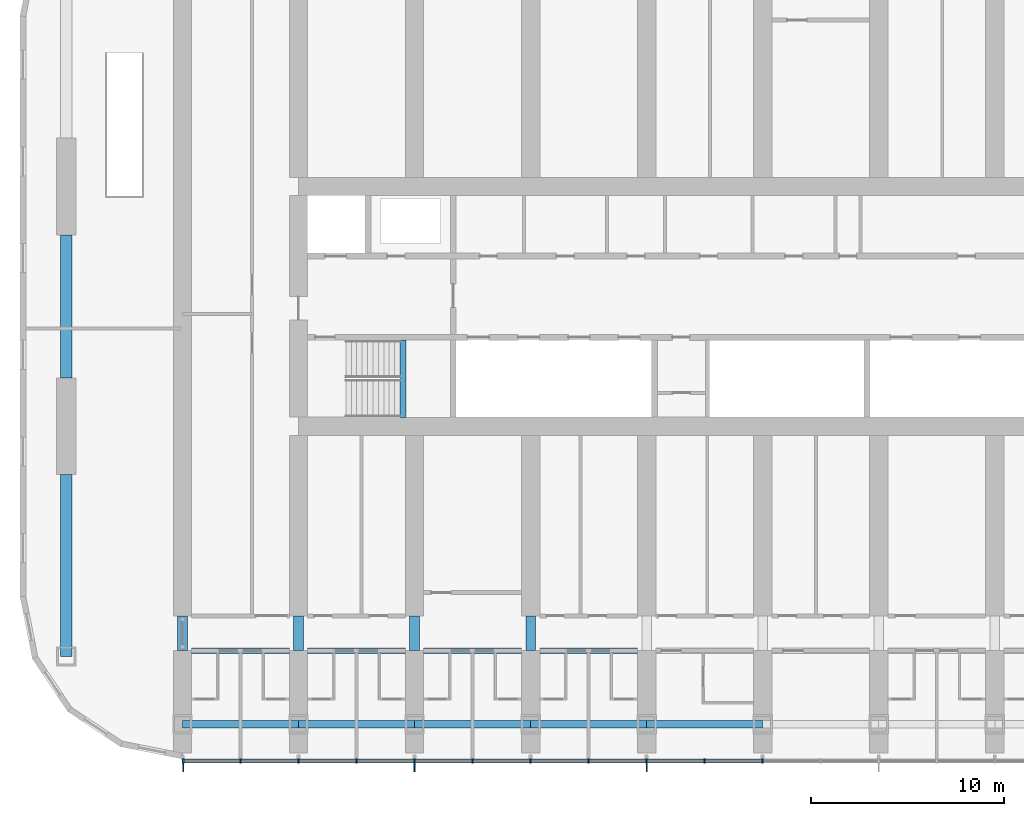
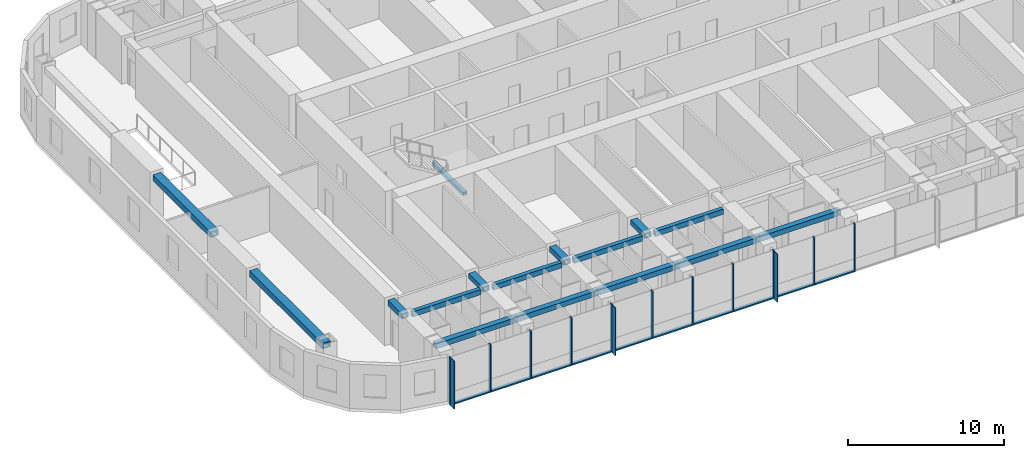
# One storey, part 2 of 21: 24 members, 16 beams, 1 element without a shape of its own.
"""IFC4 building model written with IfcOpenShell, lengths in metres."""

from ifc_helpers import new_model, si_unit, direction, frame, origin, origin_2d, place, context, subcontext, project, spatial, rectangle, hollow_rectangle, extrude, material, material_profile, profile_set, type_object, element, aggregate, save


model = new_model("IFC4")

# Units and contexts
model_context = context("Model", 3, precision=1e-05, world=origin(), true_north=direction((0.0, 1.0)))
body_context = subcontext(model_context, "Body", "Model", "MODEL_VIEW")
ifc_project = project(units=[si_unit("LENGTHUNIT", "METRE"), si_unit("AREAUNIT", "SQUARE_METRE"), si_unit("VOLUMEUNIT", "CUBIC_METRE"), si_unit("PLANEANGLEUNIT", "RADIAN"), si_unit("MASSUNIT", "GRAM", prefix="KILO")], contexts=[model_context])

# Site, building, storey
site_placement = place(None, origin())
site = spatial("IfcSite", under=ifc_project, at=site_placement, CompositionType="ELEMENT")
building_placement = place(site_placement, origin())
building = spatial("IfcBuilding", under=site, at=building_placement, Name="Orbita Commons", CompositionType="ELEMENT")
storey_placement = place(building_placement, frame((0.0, 0.0, 88.14990234375)))
storey = spatial("IfcBuildingStorey", under=building, at=storey_placement, Name="L21", CompositionType="ELEMENT", Elevation=88.14990234375)

# Curtain wall, members
ifc_material_1 = material(Name="Anodised aluminium frame, pale silver", Category="aluminium")
curtain_wall_type = type_object("IfcCurtainWallType", Name="Unitised curtain wall CW-T, vision and spandrel", PredefinedType="NOTDEFINED", material=ifc_material_1)
curtain_wall_placement = place(storey_placement, origin())
curtain_wall = element("IfcCurtainWall", 1, at=curtain_wall_placement, inside=storey, type_object=curtain_wall_type, Name="Curtain wall south L21", PredefinedType="NOTDEFINED")
ifc_material_2 = material(Name="Anodised aluminium, pale silver", Category="aluminium")
ifc_material_profile_1 = material_profile(ifc_material_2, rectangle(XDim=0.080078125, YDim=0.219970703125, at=origin_2d()), Name="AL 80x220")
ifc_profile_set_1 = profile_set([ifc_material_profile_1], Name="Anodised aluminium, pale silver")
member_type_1 = type_object("IfcMemberType", Name="Curtain wall mullion 80x220", PredefinedType="MULLION", material=ifc_profile_set_1)
member_1_placement = place(storey_placement, frame((12.0400390625, 8.489990234375, -0.25), z_axis=(0.0, 0.0, 1.0), x_axis=(1.0, 0.0, 0.0)))
member_1 = element("IfcMember", 2, at=member_1_placement, type_object=member_type_1, Name="Mullion 1 CW-L21-S", PredefinedType="MULLION", context=body_context, shape_type="SweptSolid", body=[
    extrude(rectangle(XDim=0.080078125, YDim=0.219970703125, at=origin_2d()), origin(), (0.0, 0.0, 1.0), 3.75),
])
member_2_placement = place(storey_placement, frame((15.0, 8.489990234375, -0.25), z_axis=(0.0, 0.0, 1.0), x_axis=(1.0, 0.0, 0.0)))
member_2 = element("IfcMember", 3, at=member_2_placement, type_object=member_type_1, Name="Mullion 2 CW-L21-S", PredefinedType="MULLION", context=body_context, shape_type="SweptSolid", body=[
    extrude(rectangle(XDim=0.080078125, YDim=0.219970703125, at=origin_2d()), origin(), (0.0, 0.0, 1.0), 3.75),
])
member_3_placement = place(storey_placement, frame((18.0, 8.489990234375, -0.25), z_axis=(0.0, 0.0, 1.0), x_axis=(1.0, 0.0, 0.0)))
member_3 = element("IfcMember", 4, at=member_3_placement, type_object=member_type_1, Name="Mullion 3 CW-L21-S", PredefinedType="MULLION", context=body_context, shape_type="SweptSolid", body=[
    extrude(rectangle(XDim=0.080078125, YDim=0.219970703125, at=origin_2d()), origin(), (0.0, 0.0, 1.0), 3.75),
])
member_4_placement = place(storey_placement, frame((21.0, 8.489990234375, -0.25), z_axis=(0.0, 0.0, 1.0), x_axis=(1.0, 0.0, 0.0)))
member_4 = element("IfcMember", 5, at=member_4_placement, type_object=member_type_1, Name="Mullion 4 CW-L21-S", PredefinedType="MULLION", context=body_context, shape_type="SweptSolid", body=[
    extrude(rectangle(XDim=0.080078125, YDim=0.219970703125, at=origin_2d()), origin(), (0.0, 0.0, 1.0), 3.75),
])
member_5_placement = place(storey_placement, frame((24.0, 8.489990234375, -0.25), z_axis=(0.0, 0.0, 1.0), x_axis=(1.0, 0.0, 0.0)))
member_5 = element("IfcMember", 6, at=member_5_placement, type_object=member_type_1, Name="Mullion 5 CW-L21-S", PredefinedType="MULLION", context=body_context, shape_type="SweptSolid", body=[
    extrude(rectangle(XDim=0.080078125, YDim=0.219970703125, at=origin_2d()), origin(), (0.0, 0.0, 1.0), 3.75),
])
member_6_placement = place(storey_placement, frame((27.0, 8.489990234375, -0.25), z_axis=(0.0, 0.0, 1.0), x_axis=(1.0, 0.0, 0.0)))
member_6 = element("IfcMember", 7, at=member_6_placement, type_object=member_type_1, Name="Mullion 6 CW-L21-S", PredefinedType="MULLION", context=body_context, shape_type="SweptSolid", body=[
    extrude(rectangle(XDim=0.080078125, YDim=0.219970703125, at=origin_2d()), origin(), (0.0, 0.0, 1.0), 3.75),
])
member_7_placement = place(storey_placement, frame((30.0, 8.489990234375, -0.25), z_axis=(0.0, 0.0, 1.0), x_axis=(1.0, 0.0, 0.0)))
member_7 = element("IfcMember", 8, at=member_7_placement, type_object=member_type_1, Name="Mullion 7 CW-L21-S", PredefinedType="MULLION", context=body_context, shape_type="SweptSolid", body=[
    extrude(rectangle(XDim=0.080078125, YDim=0.219970703125, at=origin_2d()), origin(), (0.0, 0.0, 1.0), 3.75),
])
member_8_placement = place(storey_placement, frame((33.0, 8.489990234375, -0.25), z_axis=(0.0, 0.0, 1.0), x_axis=(1.0, 0.0, 0.0)))
member_8 = element("IfcMember", 9, at=member_8_placement, type_object=member_type_1, Name="Mullion 8 CW-L21-S", PredefinedType="MULLION", context=body_context, shape_type="SweptSolid", body=[
    extrude(rectangle(XDim=0.080078125, YDim=0.219970703125, at=origin_2d()), origin(), (0.0, 0.0, 1.0), 3.75),
])
member_9_placement = place(storey_placement, frame((36.0, 8.489990234375, -0.25), z_axis=(0.0, 0.0, 1.0), x_axis=(1.0, 0.0, 0.0)))
member_9 = element("IfcMember", 10, at=member_9_placement, type_object=member_type_1, Name="Mullion 9 CW-L21-S", PredefinedType="MULLION", context=body_context, shape_type="SweptSolid", body=[
    extrude(rectangle(XDim=0.080078125, YDim=0.219970703125, at=origin_2d()), origin(), (0.0, 0.0, 1.0), 3.75),
])
member_10_placement = place(storey_placement, frame((39.0, 8.489990234375, -0.25), z_axis=(0.0, 0.0, 1.0), x_axis=(1.0, 0.0, 0.0)))
member_10 = element("IfcMember", 11, at=member_10_placement, type_object=member_type_1, Name="Mullion 10 CW-L21-S", PredefinedType="MULLION", context=body_context, shape_type="SweptSolid", body=[
    extrude(rectangle(XDim=0.080078125, YDim=0.219970703125, at=origin_2d()), origin(), (0.0, 0.0, 1.0), 3.75),
])
member_11_placement = place(storey_placement, frame((42.0, 8.489990234375, -0.25), z_axis=(0.0, 0.0, 1.0), x_axis=(1.0, 0.0, 0.0)))
member_11 = element("IfcMember", 12, at=member_11_placement, type_object=member_type_1, Name="Mullion 11 CW-L21-S", PredefinedType="MULLION", context=body_context, shape_type="SweptSolid", body=[
    extrude(rectangle(XDim=0.080078125, YDim=0.219970703125, at=origin_2d()), origin(), (0.0, 0.0, 1.0), 3.75),
])
ifc_material_3 = material(Name="Anodised aluminium, pale silver", Category="aluminium")
ifc_material_profile_2 = material_profile(ifc_material_3, rectangle(XDim=0.219970703125, YDim=0.10009765625, at=origin_2d()), Name="AL 220x100")
ifc_profile_set_2 = profile_set([ifc_material_profile_2], Name="Anodised aluminium, pale silver")
member_type_2 = type_object("IfcMemberType", Name="Curtain wall stack transom 220x100", PredefinedType="USERDEFINED", material=ifc_profile_set_2)
member_12_placement = place(storey_placement, frame((12.080078125, 8.489990234375, -0.199951171875), z_axis=(1.0, 0.0, 0.0), x_axis=(0.0, 1.0, 0.0)))
member_12 = element("IfcMember", 13, at=member_12_placement, type_object=member_type_2, Name="Transom 1.1 CW-L21-S", ObjectType="TRANSOM", PredefinedType="USERDEFINED", context=body_context, shape_type="SweptSolid", body=[
    extrude(rectangle(XDim=0.219970703125, YDim=0.10009765625, at=origin_2d()), origin(), (0.0, 0.0, 1.0), 2.8798828125),
])
member_13_placement = place(storey_placement, frame((15.0400390625, 8.489990234375, -0.199951171875), z_axis=(1.0, 0.0, 0.0), x_axis=(0.0, 1.0, 0.0)))
member_13 = element("IfcMember", 14, at=member_13_placement, type_object=member_type_2, Name="Transom 2.1 CW-L21-S", ObjectType="TRANSOM", PredefinedType="USERDEFINED", context=body_context, shape_type="SweptSolid", body=[
    extrude(rectangle(XDim=0.219970703125, YDim=0.10009765625, at=origin_2d()), origin(), (0.0, 0.0, 1.0), 2.919921875),
])
member_14_placement = place(storey_placement, frame((18.0400390625, 8.489990234375, -0.199951171875), z_axis=(1.0, 0.0, 0.0), x_axis=(0.0, 1.0, 0.0)))
member_14 = element("IfcMember", 15, at=member_14_placement, type_object=member_type_2, Name="Transom 3.1 CW-L21-S", ObjectType="TRANSOM", PredefinedType="USERDEFINED", context=body_context, shape_type="SweptSolid", body=[
    extrude(rectangle(XDim=0.219970703125, YDim=0.10009765625, at=origin_2d()), origin(), (0.0, 0.0, 1.0), 2.919921875),
])
member_15_placement = place(storey_placement, frame((21.0400390625, 8.489990234375, -0.199951171875), z_axis=(1.0, 0.0, 0.0), x_axis=(0.0, 1.0, 0.0)))
member_15 = element("IfcMember", 16, at=member_15_placement, type_object=member_type_2, Name="Transom 4.1 CW-L21-S", ObjectType="TRANSOM", PredefinedType="USERDEFINED", context=body_context, shape_type="SweptSolid", body=[
    extrude(rectangle(XDim=0.219970703125, YDim=0.10009765625, at=origin_2d()), origin(), (0.0, 0.0, 1.0), 2.919921875),
])
member_16_placement = place(storey_placement, frame((24.0400390625, 8.489990234375, -0.199951171875), z_axis=(1.0, 0.0, 0.0), x_axis=(0.0, 1.0, 0.0)))
member_16 = element("IfcMember", 17, at=member_16_placement, type_object=member_type_2, Name="Transom 5.1 CW-L21-S", ObjectType="TRANSOM", PredefinedType="USERDEFINED", context=body_context, shape_type="SweptSolid", body=[
    extrude(rectangle(XDim=0.219970703125, YDim=0.10009765625, at=origin_2d()), origin(), (0.0, 0.0, 1.0), 2.919921875),
])
member_17_placement = place(storey_placement, frame((27.0400390625, 8.489990234375, -0.199951171875), z_axis=(1.0, 0.0, 0.0), x_axis=(0.0, 1.0, 0.0)))
member_17 = element("IfcMember", 18, at=member_17_placement, type_object=member_type_2, Name="Transom 6.1 CW-L21-S", ObjectType="TRANSOM", PredefinedType="USERDEFINED", context=body_context, shape_type="SweptSolid", body=[
    extrude(rectangle(XDim=0.219970703125, YDim=0.10009765625, at=origin_2d()), origin(), (0.0, 0.0, 1.0), 2.919921875),
])
member_18_placement = place(storey_placement, frame((30.0400390625, 8.489990234375, -0.199951171875), z_axis=(1.0, 0.0, 0.0), x_axis=(0.0, 1.0, 0.0)))
member_18 = element("IfcMember", 19, at=member_18_placement, type_object=member_type_2, Name="Transom 7.1 CW-L21-S", ObjectType="TRANSOM", PredefinedType="USERDEFINED", context=body_context, shape_type="SweptSolid", body=[
    extrude(rectangle(XDim=0.219970703125, YDim=0.10009765625, at=origin_2d()), origin(), (0.0, 0.0, 1.0), 2.919921875),
])
member_19_placement = place(storey_placement, frame((33.0400390625, 8.489990234375, -0.199951171875), z_axis=(1.0, 0.0, 0.0), x_axis=(0.0, 1.0, 0.0)))
member_19 = element("IfcMember", 20, at=member_19_placement, type_object=member_type_2, Name="Transom 8.1 CW-L21-S", ObjectType="TRANSOM", PredefinedType="USERDEFINED", context=body_context, shape_type="SweptSolid", body=[
    extrude(rectangle(XDim=0.219970703125, YDim=0.10009765625, at=origin_2d()), origin(), (0.0, 0.0, 1.0), 2.919921875),
])
member_20_placement = place(storey_placement, frame((36.0400390625, 8.489990234375, -0.199951171875), z_axis=(1.0, 0.0, 0.0), x_axis=(0.0, 1.0, 0.0)))
member_20 = element("IfcMember", 21, at=member_20_placement, type_object=member_type_2, Name="Transom 9.1 CW-L21-S", ObjectType="TRANSOM", PredefinedType="USERDEFINED", context=body_context, shape_type="SweptSolid", body=[
    extrude(rectangle(XDim=0.219970703125, YDim=0.10009765625, at=origin_2d()), origin(), (0.0, 0.0, 1.0), 2.919921875),
])
member_21_placement = place(storey_placement, frame((39.0400390625, 8.489990234375, -0.199951171875), z_axis=(1.0, 0.0, 0.0), x_axis=(0.0, 1.0, 0.0)))
member_21 = element("IfcMember", 22, at=member_21_placement, type_object=member_type_2, Name="Transom 10.1 CW-L21-S", ObjectType="TRANSOM", PredefinedType="USERDEFINED", context=body_context, shape_type="SweptSolid", body=[
    extrude(rectangle(XDim=0.219970703125, YDim=0.10009765625, at=origin_2d()), origin(), (0.0, 0.0, 1.0), 2.919921875),
])

# Beams
ifc_material_4 = material(Name="Steel ASTM A572 Gr 50 welded plate", Category="steel")
ifc_material_profile_3 = material_profile(ifc_material_4, hollow_rectangle(XDim=0.300048828125, YDim=0.25, WallThickness=0.02490234375, at=origin_2d()), Name="BOX 250x300x25")
ifc_profile_set_3 = profile_set([ifc_material_profile_3], Name="Steel ASTM A572 Gr 50 welded plate")
beam_type_1 = type_object("IfcBeamType", Name="Stair landing beam steel BOX 250x300x25", PredefinedType="BEAM", material=ifc_profile_set_3)
beam_1_placement = place(storey_placement, frame((23.39990234375, 26.260009765625, 1.550048828125), z_axis=(0.0, 1.0, 0.0), x_axis=(-1.0, 0.0, 0.0)))
element("IfcBeam", 23, at=beam_1_placement, inside=storey, type_object=beam_type_1, Name="Stair S1 landing beam L21 1", PredefinedType="BEAM", context=body_context, shape_type="SweptSolid", body=[
    extrude(hollow_rectangle(XDim=0.300048828125, YDim=0.25, WallThickness=0.02490234375, at=origin_2d()), origin(), (0.0, 0.0, 1.0), 4.0048828125),
])
ifc_material_5 = material(Name="Steel ASTM A572 Gr 50 welded plate", Category="steel")
ifc_material_profile_4 = material_profile(ifc_material_5, hollow_rectangle(XDim=0.300048828125, YDim=0.39990234375, WallThickness=0.0400390625, at=origin_2d()), Name="BOX 400x300x40")
ifc_profile_set_4 = profile_set([ifc_material_profile_4], Name="Steel ASTM A572 Gr 50 welded plate")
beam_type_2 = type_object("IfcBeamType", Name="Steel corridor link BOX 400x300x40", PredefinedType="BEAM", material=ifc_profile_set_4)
for number, where, z_axis, x_axis, name in (
    (24, (12.47509765625, 14.199951171875, 3.300048828125), (1.0, 0.0, 0.0), (0.0, 1.0, 0.0), "Corridor beam SA 3-4 L21"),
    (25, (18.47509765625, 14.199951171875, 3.300048828125), (1.0, 0.0, 0.0), (0.0, 1.0, 0.0), "Corridor beam SA 4-5 L21"),
    (26, (24.47509765625, 14.199951171875, 3.300048828125), (1.0, 0.0, 0.0), (0.0, 1.0, 0.0), "Corridor beam SA 5-6 L21"),
    (27, (30.47509765625, 14.199951171875, 3.300048828125), (1.0, 0.0, 0.0), (0.0, 1.0, 0.0), "Corridor beam SA 6-7 L21"),
):
    element("IfcBeam", number, at=place(storey_placement, frame(where, z_axis=z_axis, x_axis=x_axis)), inside=storey, type_object=beam_type_2, Name=name, PredefinedType="BEAM", context=body_context, shape_type="SweptSolid", body=[
        extrude(hollow_rectangle(XDim=0.300048828125, YDim=0.39990234375, WallThickness=0.0400390625, at=origin_2d()), origin(), (0.0, 0.0, 1.0), 5.0498046875),
    ])
ifc_material_6 = material(Name="Steel ASTM A572 Gr 50 welded plate", Category="steel")
ifc_material_profile_5 = material_profile(ifc_material_6, hollow_rectangle(XDim=0.5, YDim=0.39990234375, WallThickness=0.050048828125, at=origin_2d()), Name="BOX 400x500x50")
ifc_profile_set_5 = profile_set([ifc_material_profile_5], Name="Steel ASTM A572 Gr 50 welded plate")
beam_type_3 = type_object("IfcBeamType", Name="Steel coupling link BOX 400x500x50", PredefinedType="LINTEL", material=ifc_profile_set_5)
for number, where, z_axis, x_axis, name in (
    (28, (12.0, 14.199951171875, 3.300048828125), (0.0, 1.0, 0.0), (-1.0, 0.0, 0.0), "Coupling beam 3 south L21"),
    (29, (18.0, 14.199951171875, 3.300048828125), (0.0, 1.0, 0.0), (-1.0, 0.0, 0.0), "Coupling beam 4 south L21"),
    (30, (24.0, 14.199951171875, 3.300048828125), (0.0, 1.0, 0.0), (-1.0, 0.0, 0.0), "Coupling beam 5 south L21"),
    (31, (30.0, 14.199951171875, 3.300048828125), (0.0, 1.0, 0.0), (-1.0, 0.0, 0.0), "Coupling beam 6 south L21"),
):
    element("IfcBeam", number, at=place(storey_placement, frame(where, z_axis=z_axis, x_axis=x_axis)), inside=storey, type_object=beam_type_3, Name=name, PredefinedType="LINTEL", context=body_context, shape_type="SweptSolid", body=[
        extrude(hollow_rectangle(XDim=0.5, YDim=0.39990234375, WallThickness=0.050048828125, at=origin_2d()), origin(), (0.0, 0.0, 1.0), 1.800048828125),
    ])
ifc_material_7 = material(Name="Steel ASTM A572 Gr 50 welded plate", Category="steel")
ifc_material_profile_6 = material_profile(ifc_material_7, hollow_rectangle(XDim=0.60009765625, YDim=0.449951171875, WallThickness=0.06005859375, at=origin_2d()), Name="BOX 450x600x60")
ifc_profile_set_6 = profile_set([ifc_material_profile_6], Name="Steel ASTM A572 Gr 50 welded plate")
beam_type_4 = type_object("IfcBeamType", Name="Steel end frame link BOX 450x600x60", PredefinedType="BEAM", material=ifc_profile_set_6)
beam_2_placement = place(storey_placement, frame((6.0, 13.89990234375, 3.275146484375), z_axis=(0.0, 1.0, 0.0), x_axis=(-1.0, 0.0, 0.0)))
element("IfcBeam", 32, at=beam_2_placement, inside=storey, type_object=beam_type_4, Name="End frame beam 2 B-C L21", PredefinedType="BEAM", context=body_context, shape_type="SweptSolid", body=[
    extrude(hollow_rectangle(XDim=0.60009765625, YDim=0.449951171875, WallThickness=0.06005859375, at=origin_2d()), origin(), (0.0, 0.0, 1.0), 9.400146484375),
])
beam_3_placement = place(storey_placement, frame((6.0, 28.300048828125, 3.275146484375), z_axis=(0.0, 1.0, 0.0), x_axis=(-1.0, 0.0, 0.0)))
element("IfcBeam", 33, at=beam_3_placement, inside=storey, type_object=beam_type_4, Name="End frame beam 2 C-D L21", PredefinedType="BEAM", context=body_context, shape_type="SweptSolid", body=[
    extrude(hollow_rectangle(XDim=0.60009765625, YDim=0.449951171875, WallThickness=0.06005859375, at=origin_2d()), origin(), (0.0, 0.0, 1.0), 7.39990234375),
])
ifc_material_8 = material(Name="Steel ASTM A572 Gr 50 welded plate", Category="steel")
ifc_material_profile_7 = material_profile(ifc_material_8, hollow_rectangle(XDim=0.39990234375, YDim=0.39990234375, WallThickness=0.0400390625, at=origin_2d()), Name="BOX 400x400x40")
ifc_profile_set_7 = profile_set([ifc_material_profile_7], Name="Steel ASTM A572 Gr 50 welded plate")
beam_type_5 = type_object("IfcBeamType", Name="Steel spandrel BOX 400x400x40", PredefinedType="SPANDREL", material=ifc_profile_set_7)
for number, where, z_axis, x_axis, name in (
    (34, (12.0, 10.39990234375, 3.300048828125), (1.0, 0.0, 0.0), (0.0, 1.0, 0.0), "Spandrel beam B 3-4 L21"),
    (35, (18.0, 10.39990234375, 3.300048828125), (1.0, 0.0, 0.0), (0.0, 1.0, 0.0), "Spandrel beam B 4-5 L21"),
    (36, (24.0, 10.39990234375, 3.300048828125), (1.0, 0.0, 0.0), (0.0, 1.0, 0.0), "Spandrel beam B 5-6 L21"),
    (37, (30.0, 10.39990234375, 3.300048828125), (1.0, 0.0, 0.0), (0.0, 1.0, 0.0), "Spandrel beam B 6-7 L21"),
    (38, (36.0, 10.39990234375, 3.300048828125), (1.0, 0.0, 0.0), (0.0, 1.0, 0.0), "Spandrel beam B 7-8 L21"),
):
    element("IfcBeam", number, at=place(storey_placement, frame(where, z_axis=z_axis, x_axis=x_axis)), inside=storey, type_object=beam_type_5, Name=name, PredefinedType="SPANDREL", context=body_context, shape_type="SweptSolid", body=[
        extrude(hollow_rectangle(XDim=0.39990234375, YDim=0.39990234375, WallThickness=0.0400390625, at=origin_2d()), origin(), (0.0, 0.0, 1.0), 6.0),
    ])

# Member
ifc_material_9 = material(Name="Anodised aluminium, pale silver", Category="aluminium")
ifc_material_profile_8 = material_profile(ifc_material_9, rectangle(XDim=0.06005859375, YDim=0.449951171875, at=origin_2d()), Name="FIN 60x450")
ifc_profile_set_8 = profile_set([ifc_material_profile_8], Name="Anodised aluminium, pale silver")
member_type_3 = type_object("IfcMemberType", Name="Vertical fin 60x450 pale aluminium", PredefinedType="USERDEFINED", material=ifc_profile_set_8)
member_22_placement = place(storey_placement, frame((12.0400390625, 8.155029296875, -0.25), z_axis=(0.0, 0.0, 1.0), x_axis=(1.0, 0.0, 0.0)))
member_22 = element("IfcMember", 39, at=member_22_placement, type_object=member_type_3, Name="Fin 1 CW-L21-S", ObjectType="FIN", PredefinedType="USERDEFINED", context=body_context, shape_type="SweptSolid", body=[
    extrude(rectangle(XDim=0.06005859375, YDim=0.449951171875, at=origin_2d()), origin(), (0.0, 0.0, 1.0), 3.75),
])

member_23_placement = place(storey_placement, frame((24.0, 8.155029296875, -0.25), z_axis=(0.0, 0.0, 1.0), x_axis=(1.0, 0.0, 0.0)))
member_23 = element("IfcMember", 40, at=member_23_placement, type_object=member_type_3, Name="Fin 5 CW-L21-S", ObjectType="FIN", PredefinedType="USERDEFINED", context=body_context, shape_type="SweptSolid", body=[
    extrude(rectangle(XDim=0.06005859375, YDim=0.449951171875, at=origin_2d()), origin(), (0.0, 0.0, 1.0), 3.75),
])

member_24_placement = place(storey_placement, frame((36.0, 8.155029296875, -0.25), z_axis=(0.0, 0.0, 1.0), x_axis=(1.0, 0.0, 0.0)))
member_24 = element("IfcMember", 41, at=member_24_placement, type_object=member_type_3, Name="Fin 9 CW-L21-S", ObjectType="FIN", PredefinedType="USERDEFINED", context=body_context, shape_type="SweptSolid", body=[
    extrude(rectangle(XDim=0.06005859375, YDim=0.449951171875, at=origin_2d()), origin(), (0.0, 0.0, 1.0), 3.75),
])

aggregate(curtain_wall, [member_1, member_22, member_2, member_3, member_4, member_5, member_23, member_6, member_7, member_8, member_9, member_24, member_10, member_11, member_12, member_13, member_14, member_15, member_16, member_17, member_18, member_19, member_20, member_21])

save(model, "model.ifc")
